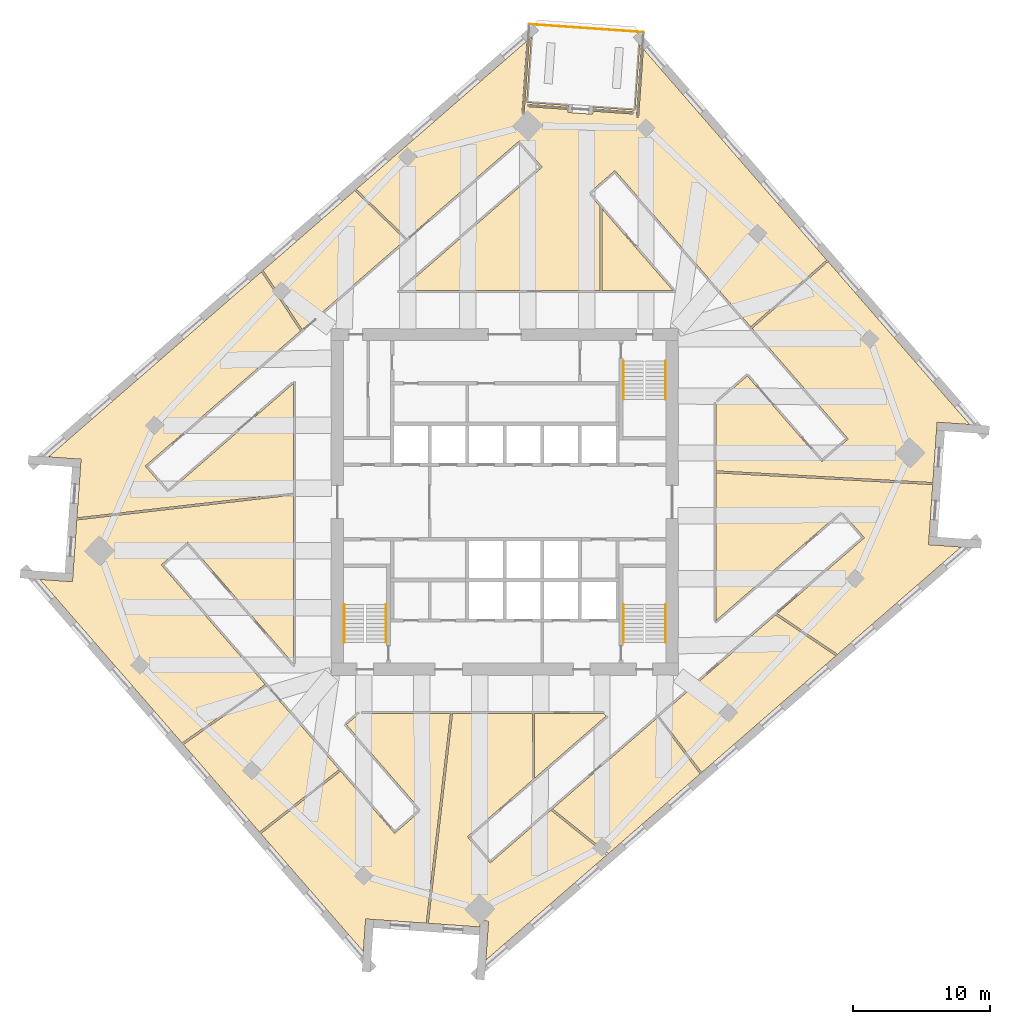
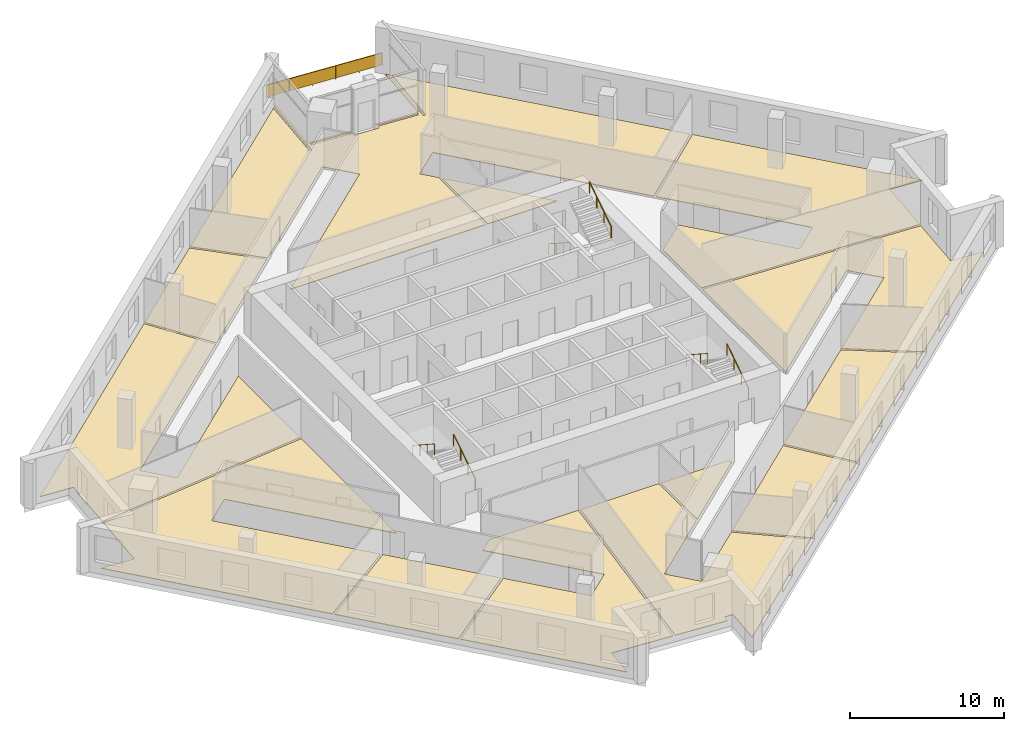
# One storey, part 10 of 11: 13 coverings, 7 railings.
"""IFC4 building model written with IfcOpenShell, lengths in metres."""

import ifcopenshell
import ifcopenshell.guid

model = None  # the IFC model being written
_history = None  # IfcOwnerHistory: only IFC2X3 demands one
_inside = {}  # id of a spatial element -> (the spatial element, [elements in it])
_under = {}  # id of a project, library or spatial element -> (it, [spatial elements below it])
_declared = {}  # id of a project -> (the project, [libraries it declares])
_typed = {}  # id of a type object -> (the type object, [elements of that type])
_made_of = {}  # id of a material, layer set ... -> (it, [elements and type objects made of it])


def new_model(schema):
    """Start an empty IFC model of exactly this schema.

    Asked for "IFC4X3", IfcOpenShell would pick the latest addendum, in which some entities
    have other attributes; the version numbers below select the first issue.
    IFC2X3 requires an IfcOwnerHistory on every rooted entity: one is made here for all.
    """
    global model, _history
    if schema == "IFC4X3":
        model = ifcopenshell.file(schema_version=(4, 3, 0, 0))
    else:
        model = ifcopenshell.file(schema=schema)
    _inside.clear()
    _under.clear()
    _declared.clear()
    _typed.clear()
    _made_of.clear()
    _history = None
    if model.schema == "IFC2X3":
        org = make("IfcOrganization", Name="unknown")
        user = make(
            "IfcPersonAndOrganization",
            ThePerson=make("IfcPerson", FamilyName="unknown"),
            TheOrganization=org,
        )
        app = make(
            "IfcApplication",
            ApplicationDeveloper=org,
            Version="unknown",
            ApplicationFullName="unknown",
            ApplicationIdentifier="unknown",
        )
        _history = make(
            "IfcOwnerHistory",
            OwningUser=user,
            OwningApplication=app,
            ChangeAction="ADDED",
            CreationDate=0,
        )
    return model


def make(cls, **values):
    """One entity of the class cls with the attributes given. An attribute that is None is left unset."""
    return model.create_entity(
        cls, **{name: value for name, value in values.items() if value is not None}
    )


def rooted(cls, **values):
    """An entity with a GlobalId (a new one), such as an element, a storey or a relation."""
    return make(cls, GlobalId=ifcopenshell.guid.new(), OwnerHistory=_history, **values)


def si_unit(unit_type, name, prefix=None):
    """IfcSIUnit, for example si_unit("LENGTHUNIT", "METRE", prefix="MILLI")."""
    return make("IfcSIUnit", UnitType=unit_type, Prefix=prefix, Name=name)


def assignment(units):
    """IfcUnitAssignment: the units of a project."""
    return None if units is None else make("IfcUnitAssignment", Units=units)


def point(xyz):
    """IfcCartesianPoint."""
    return None if xyz is None else make("IfcCartesianPoint", Coordinates=xyz)


def direction(xyz):
    """IfcDirection."""
    return None if xyz is None else make("IfcDirection", DirectionRatios=xyz)


def frame(location, z_axis=None, x_axis=None):
    """IfcAxis2Placement3D, a coordinate frame: its origin and axes. An axis left out is left unset."""
    return make(
        "IfcAxis2Placement3D",
        Location=point(location),
        Axis=direction(z_axis),
        RefDirection=direction(x_axis),
    )


def frame_2d(location, x_axis=None):
    """IfcAxis2Placement2D, a coordinate frame in the plane: its origin and x axis."""
    return make(
        "IfcAxis2Placement2D", Location=point(location), RefDirection=direction(x_axis)
    )


def origin():
    """The frame at (0, 0, 0) with its axes left unset."""
    return frame((0.0, 0.0, 0.0))


def origin_2d():
    """The frame at (0, 0) in the plane with its x axis left unset."""
    return frame_2d((0.0, 0.0))


def place(relative_to, where):
    """IfcLocalPlacement: puts the frame where relative to a parent placement (None: the world)."""
    return make(
        "IfcLocalPlacement", PlacementRelTo=relative_to, RelativePlacement=where
    )


def context(
    kind, dimensions, precision=None, world=None, true_north=None, identifier=None
):
    """IfcGeometricRepresentationContext, for example the 3D "Model" context."""
    return make(
        "IfcGeometricRepresentationContext",
        ContextIdentifier=identifier,
        ContextType=kind,
        CoordinateSpaceDimension=dimensions,
        Precision=precision,
        WorldCoordinateSystem=world,
        TrueNorth=true_north,
    )


def subcontext(parent, identifier, kind, view, scale=None):
    """IfcGeometricRepresentationSubContext, for example "Body" below "Model"."""
    return make(
        "IfcGeometricRepresentationSubContext",
        ContextIdentifier=identifier,
        ContextType=kind,
        ParentContext=parent,
        TargetScale=scale,
        TargetView=view,
    )


def project(units=None, contexts=None):
    """IfcProject with its units and contexts."""
    return rooted(
        "IfcProject",
        Name="project",
        RepresentationContexts=contexts,
        UnitsInContext=assignment(units),
    )


def spatial(cls, under=None, at=None, **own):
    """A site, building, storey or space (cls), placed at a placement, below another one or the project."""
    s = rooted(cls, ObjectPlacement=at, **own)
    if under is not None:
        _under.setdefault(under.id(), (under, []))[1].append(s)
    return s


def polyline(points):
    """IfcPolyline through the points."""
    return make("IfcPolyline", Points=[point(p) for p in points])


def profile(cls, at=None, kind="AREA", **sizes):
    """A parametric profile (cls). Its sizes go by their IFC names, for example OverallWidth=200.0."""
    return make(cls, ProfileType=kind, Position=at, **sizes)


def rectangle(**sizes):
    """IfcRectangleProfileDef."""
    return profile("IfcRectangleProfileDef", **sizes)


def circle(**sizes):
    """IfcCircleProfileDef."""
    return profile("IfcCircleProfileDef", **sizes)


def outline(outer, holes=None, kind="AREA"):
    """IfcArbitraryClosedProfileDef: a profile drawn as a closed curve; with holes, ...WithVoids."""
    if holes is None:
        return make("IfcArbitraryClosedProfileDef", ProfileType=kind, OuterCurve=outer)
    return make(
        "IfcArbitraryProfileDefWithVoids",
        ProfileType=kind,
        OuterCurve=outer,
        InnerCurves=holes,
    )


def extrude(swept, where, along, depth):
    """IfcExtrudedAreaSolid: the profile swept, set in the frame where, extruded along a direction by depth."""
    return make(
        "IfcExtrudedAreaSolid",
        SweptArea=swept,
        Position=where,
        ExtrudedDirection=direction(along),
        Depth=depth,
    )


def shape(context_of_items, identifier, shape_type, items):
    """IfcShapeRepresentation: the items that make up one representation, for example the "Body"."""
    return make(
        "IfcShapeRepresentation",
        ContextOfItems=context_of_items,
        RepresentationIdentifier=identifier,
        RepresentationType=shape_type,
        Items=items,
    )


def material(Name=None, Category=None):
    """IfcMaterial."""
    return make("IfcMaterial", Name=Name, Category=Category)


def layer(
    of_material, thickness, ventilated=None, Name=None, Category=None, Priority=None
):
    """IfcMaterialLayer: one layer of a wall or slab, of a material (None: an air gap)."""
    return make(
        "IfcMaterialLayer",
        Material=of_material,
        LayerThickness=thickness,
        IsVentilated=ventilated,
        Name=Name,
        Category=Category,
        Priority=Priority,
    )


def layer_set(layers, Name=None):
    """IfcMaterialLayerSet."""
    return make("IfcMaterialLayerSet", MaterialLayers=layers, LayerSetName=Name)


def made_of(thing, what):
    """Note that an element or type object is made of a material, layer set ...; save() writes the relation."""
    if what is not None:
        _made_of.setdefault(what.id(), (what, []))[1].append(thing)
    return thing


def type_object(cls, material=None, **own):
    """A type object (cls), such as IfcWallType, which elements share."""
    return made_of(rooted(cls, **own), material)


def element(
    cls,
    number,
    at=None,
    inside=None,
    cuts=None,
    type_object=None,
    material=None,
    context=None,
    identifier="Body",
    shape_type=None,
    held_by="IfcProductDefinitionShape",
    body=None,
    shapes=None,
    **own,
):
    """One element of the class cls, such as IfcWall. Its Tag is "e" and its number.

    at: its placement. inside: the storey or other place that contains it. cuts: it is an
    opening in that element (IfcRelVoidsElement). A single representation is given by context,
    identifier, shape_type and body (its items); several are given by shapes. held_by: the class
    of the entity that holds the representations. save() writes the other relations.
    """
    e = rooted(cls, Tag="e%d" % number, ObjectPlacement=at, **own)
    if body is not None:
        shapes = [shape(context, identifier, shape_type, body)]
    if shapes is not None:
        e.Representation = make(held_by, Representations=shapes)
    if inside is not None:
        _inside.setdefault(inside.id(), (inside, []))[1].append(e)
    if cuts is not None:
        rooted(
            "IfcRelVoidsElement", RelatingBuildingElement=cuts, RelatedOpeningElement=e
        )
    if type_object is not None:
        _typed.setdefault(type_object.id(), (type_object, []))[1].append(e)
    return made_of(e, material)


def aggregate(whole, parts):
    """IfcRelAggregates: a whole, such as a stair, and the parts it consists of."""
    return rooted("IfcRelAggregates", RelatingObject=whole, RelatedObjects=parts)


def save(model, path):
    """Write the relations noted so far, then the file.

    IfcRelAggregates (storeys below a building ...), IfcRelContainedInSpatialStructure (elements
    in a storey), IfcRelDefinesByType, IfcRelAssociatesMaterial and IfcRelDeclares: one each for
    every whole, place, type object, material and project.
    """
    for whole, parts in _under.values():
        aggregate(whole, parts)
    for where, things in _inside.values():
        rooted(
            "IfcRelContainedInSpatialStructure",
            RelatedElements=things,
            RelatingStructure=where,
        )
    for kind, things in _typed.values():
        rooted("IfcRelDefinesByType", RelatedObjects=things, RelatingType=kind)
    for what, things in _made_of.values():
        rooted("IfcRelAssociatesMaterial", RelatedObjects=things, RelatingMaterial=what)
    for by, libraries in _declared.values():
        rooted("IfcRelDeclares", RelatingContext=by, RelatedDefinitions=libraries)
    model.write(path)


model = new_model("IFC4")

# Units and contexts
model_context = context("Model", 3, precision=1e-05, world=origin(), true_north=direction((0.0, 1.0)))
body_context = subcontext(model_context, "Body", "Model", "MODEL_VIEW")
ifc_project = project(units=[si_unit("LENGTHUNIT", "METRE"), si_unit("AREAUNIT", "SQUARE_METRE"), si_unit("VOLUMEUNIT", "CUBIC_METRE"), si_unit("PLANEANGLEUNIT", "RADIAN"), si_unit("MASSUNIT", "GRAM", prefix="KILO")], contexts=[model_context])

# Site, building, storey
site_placement = place(None, origin())
site = spatial("IfcSite", under=ifc_project, at=site_placement, CompositionType="ELEMENT")
building_placement = place(site_placement, origin())
building = spatial("IfcBuilding", under=site, at=building_placement, Name="Dilmun Exchange Tower", CompositionType="ELEMENT")
storey_placement = place(building_placement, frame((0.0, 0.0, 193.300048828125)))
storey = spatial("IfcBuildingStorey", under=building, at=storey_placement, Name="L45", CompositionType="ELEMENT", Elevation=193.300048828125)

# Coverings
ifc_material_1 = material(Name="Carpet floor finish 50")
ifc_layer_1 = layer(ifc_material_1, 0.050048828125)
ifc_layer_set_1 = layer_set([ifc_layer_1], Name="Carpet floor finish 50")
covering_type_1 = type_object("IfcCoveringType", Name="Carpet floor finish 50", PredefinedType="FLOORING", material=ifc_layer_set_1)
covering_1_placement = place(storey_placement, origin())
element("IfcCovering", 1, at=covering_1_placement, inside=storey, type_object=covering_type_1, Name="Carpet floor finish 50 Members lounge", PredefinedType="FLOORING", context=body_context, shape_type="SweptSolid", body=[
    extrude(outline(polyline([(-23.210693359375, -2.935302734375), (-25.13525390625, -4.6083984375), (-17.530029296875, -13.357177734375), (-23.617919921875, -17.640625), (-34.026611328125, -5.666748046875), (-31.639404296875, -5.833740234375), (-31.63916015625, -5.833740234375), (-31.638916015625, -5.833740234375), (-31.638916015625, -5.833740234375), (-31.638671875, -5.833740234375), (-31.638427734375, -5.83349609375), (-31.63818359375, -5.83349609375), (-31.63818359375, -5.83349609375), (-31.637939453125, -5.833251953125), (-31.6376953125, -5.8330078125), (-31.6376953125, -5.8330078125), (-31.637451171875, -5.832763671875), (-31.637451171875, -5.832763671875), (-31.637451171875, -5.83251953125), (-31.63720703125, -5.832275390625), (-31.63720703125, -5.83203125), (-31.63720703125, -5.831787109375), (-31.595458984375, -5.23388671875), (-31.595458984375, -5.23388671875), (-31.595458984375, -5.233642578125), (-31.59521484375, -5.2333984375), (-31.321533203125, -1.318359375), (-15.47509765625, 0.508544921875), (-15.47509765625, -11.834228515625), (-23.210693359375, -2.935302734375)])), origin(), (0.0, 0.0, 1.0), 0.050048828125),
])
covering_2_placement = place(storey_placement, origin())
element("IfcCovering", 2, at=covering_2_placement, inside=storey, type_object=covering_type_1, Name="Carpet floor finish 50 Members library 1", PredefinedType="FLOORING", context=body_context, shape_type="SweptSolid", body=[
    extrude(outline(polyline([(-15.47509765625, 8.66650390625), (-15.47509765625, 0.659423828125), (-31.31103515625, -1.166259765625), (-31.052734375, 2.52587890625), (-31.052734375, 2.52587890625), (-31.010986328125, 3.124267578125), (-31.010986328125, 3.12451171875), (-31.010986328125, 3.124755859375), (-31.010986328125, 3.125), (-31.010986328125, 3.125), (-31.010986328125, 3.125244140625), (-31.01123046875, 3.12548828125), (-31.01123046875, 3.12548828125), (-31.011474609375, 3.125732421875), (-31.01171875, 3.1259765625), (-31.01171875, 3.126220703125), (-31.011962890625, 3.126220703125), (-31.01220703125, 3.126220703125), (-31.01220703125, 3.126220703125), (-31.012451171875, 3.12646484375), (-31.0126953125, 3.12646484375), (-31.0126953125, 3.12646484375), (-33.39990234375, 3.29345703125), (-17.8037109375, 16.851318359375), (-14.939453125, 12.5107421875), (-26.313232421875, 2.62353515625), (-24.640380859375, 0.69921875), (-15.47509765625, 8.66650390625)])), origin(), (0.0, 0.0, 1.0), 0.050048828125),
])
covering_3_placement = place(storey_placement, origin())
element("IfcCovering", 3, at=covering_3_placement, inside=storey, type_object=covering_type_1, Name="Carpet floor finish 50 Serviced office 1", PredefinedType="FLOORING", context=body_context, shape_type="SweptSolid", body=[
    extrude(outline(polyline([(-17.9521484375, -24.158203125), (-23.51904296875, -17.75439453125), (-17.430908203125, -13.470947265625), (-12.117919921875, -19.5830078125), (-17.9521484375, -24.158203125)])), origin(), (0.0, 0.0, 1.0), 0.050048828125),
])
covering_4_placement = place(storey_placement, origin())
element("IfcCovering", 4, at=covering_4_placement, inside=storey, type_object=covering_type_1, Name="Carpet floor finish 50 Serviced office 2", PredefinedType="FLOORING", context=body_context, shape_type="SweptSolid", body=[
    extrude(outline(polyline([(-14.8251953125, 12.610107421875), (-17.689453125, 16.950439453125), (-10.982421875, 22.78076171875), (-7.26611328125, 19.180908203125), (-14.8251953125, 12.610107421875)])), origin(), (0.0, 0.0, 1.0), 0.050048828125),
])
covering_5_placement = place(storey_placement, origin())
element("IfcCovering", 5, at=covering_5_placement, inside=storey, type_object=covering_type_1, Name="Carpet floor finish 50 Serviced office 3", PredefinedType="FLOORING", context=body_context, shape_type="SweptSolid", body=[
    extrude(outline(polyline([(-12.01953125, -19.6962890625), (-8.0615234375, -24.249267578125), (-6.13720703125, -22.576416015625), (-11.599609375, -16.29248046875), (-10.658935546875, -15.47509765625), (-3.972412109375, -15.47509765625), (-5.748291015625, -30.827392578125), (-9.57958984375, -30.5595703125), (-9.57958984375, -30.5595703125), (-9.57958984375, -30.5595703125), (-10.17822265625, -30.517578125), (-10.178466796875, -30.517578125), (-10.1787109375, -30.517578125), (-10.1787109375, -30.517578125), (-10.178955078125, -30.517822265625), (-10.17919921875, -30.517822265625), (-10.179443359375, -30.517822265625), (-10.179443359375, -30.51806640625), (-10.1796875, -30.518310546875), (-10.1796875, -30.518310546875), (-10.179931640625, -30.518310546875), (-10.18017578125, -30.5185546875), (-10.18017578125, -30.518798828125), (-10.18017578125, -30.51904296875), (-10.180419921875, -30.51904296875), (-10.180419921875, -30.519287109375), (-10.180419921875, -30.51953125), (-10.347412109375, -32.90673828125), (-17.853759765625, -24.271728515625), (-12.01953125, -19.6962890625)])), origin(), (0.0, 0.0, 1.0), 0.050048828125),
])
covering_6_placement = place(storey_placement, origin())
element("IfcCovering", 6, at=covering_6_placement, inside=storey, type_object=covering_type_1, Name="Carpet floor finish 50 Serviced office 4", PredefinedType="FLOORING", context=body_context, shape_type="SweptSolid", body=[
    extrude(outline(polyline([(-3.8212890625, -15.47509765625), (2.04248046875, -15.47509765625), (2.04248046875, -20.343017578125), (-2.737060546875, -24.497802734375), (-1.064208984375, -26.42236328125), (3.377197265625, -22.561767578125), (7.464111328125, -25.83935546875), (-1.386962890625, -33.533447265625), (-1.188232421875, -30.6904296875), (-1.188232421875, -30.690185546875), (-1.188232421875, -30.68994140625), (-1.188232421875, -30.689697265625), (-1.188232421875, -30.689697265625), (-1.1884765625, -30.689453125), (-1.1884765625, -30.689208984375), (-1.188720703125, -30.689208984375), (-1.188720703125, -30.68896484375), (-1.18896484375, -30.688720703125), (-1.18896484375, -30.688720703125), (-1.189208984375, -30.6884765625), (-1.189208984375, -30.6884765625), (-1.189453125, -30.6884765625), (-1.189697265625, -30.688232421875), (-1.18994140625, -30.688232421875), (-1.190185546875, -30.688232421875), (-1.78857421875, -30.646484375), (-1.788818359375, -30.646484375), (-1.7890625, -30.646484375), (-1.789306640625, -30.646484375), (-1.789306640625, -30.646484375), (-1.78955078125, -30.646484375), (-1.789794921875, -30.646484375), (-1.789794921875, -30.646728515625), (-1.7900390625, -30.64697265625), (-1.790283203125, -30.64697265625), (-1.790283203125, -30.647216796875), (-1.79052734375, -30.647216796875), (-1.79052734375, -30.6474609375), (-1.79052734375, -30.647705078125), (-1.790771484375, -30.64794921875), (-1.790771484375, -30.64794921875), (-1.790771484375, -30.648193359375), (-1.822509765625, -31.10205078125), (-5.598388671875, -30.837890625), (-3.8212890625, -15.47509765625)])), origin(), (0.0, 0.0, 1.0), 0.050048828125),
])
covering_7_placement = place(storey_placement, origin())
element("IfcCovering", 7, at=covering_7_placement, inside=storey, type_object=covering_type_1, Name="Carpet floor finish 50 Garden lounge", PredefinedType="FLOORING", context=body_context, shape_type="SweptSolid", body=[
    extrude(outline(polyline([(1.064208984375, 26.42236328125), (-7.152587890625, 19.27978515625), (-10.868896484375, 22.879638671875), (1.621826171875, 33.737548828125), (1.248291015625, 28.394775390625), (1.248291015625, 28.39453125), (1.248291015625, 28.394287109375), (1.248291015625, 28.394287109375), (1.248291015625, 28.39404296875), (1.248291015625, 28.393798828125), (1.24853515625, 28.393798828125), (1.24853515625, 28.3935546875), (1.248779296875, 28.393310546875), (1.248779296875, 28.393310546875), (1.2490234375, 28.39306640625), (1.2490234375, 28.39306640625), (1.249267578125, 28.392822265625), (1.24951171875, 28.392822265625), (1.249755859375, 28.392822265625), (1.25, 28.392578125), (1.25, 28.392578125), (1.40966796875, 28.381591796875), (1.409912109375, 28.381591796875), (1.41015625, 28.381591796875), (1.410400390625, 28.381591796875), (1.410400390625, 28.381591796875), (1.41064453125, 28.381591796875), (1.410888671875, 28.3818359375), (1.410888671875, 28.3818359375), (1.4111328125, 28.382080078125), (1.411376953125, 28.382080078125), (1.411376953125, 28.38232421875), (1.41162109375, 28.382568359375), (1.41162109375, 28.382568359375), (1.41162109375, 28.3828125), (1.41162109375, 28.383056640625), (1.411865234375, 28.38330078125), (1.411865234375, 28.38330078125), (1.796875, 33.8896484375), (1.949462890625, 34.0224609375), (1.614990234375, 29.239013671875), (4.669677734375, 29.025390625), (4.65966796875, 28.882568359375), (1.6796875, 29.091064453125), (1.6796875, 29.091064453125), (1.679443359375, 29.091064453125), (1.67919921875, 29.091064453125), (1.678955078125, 29.0908203125), (1.678955078125, 29.0908203125), (1.6787109375, 29.0908203125), (1.678466796875, 29.090576171875), (1.678466796875, 29.090576171875), (1.67822265625, 29.09033203125), (1.677978515625, 29.090087890625), (1.677978515625, 29.090087890625), (1.677978515625, 29.08984375), (1.677734375, 29.089599609375), (1.677734375, 29.089599609375), (1.677734375, 29.08935546875), (1.677734375, 29.089111328125), (1.66650390625, 28.929443359375), (1.66650390625, 28.92919921875), (1.66650390625, 28.92919921875), (1.66650390625, 28.928955078125), (1.66650390625, 28.9287109375), (1.666748046875, 28.9287109375), (1.666748046875, 28.928466796875), (1.6669921875, 28.92822265625), (1.6669921875, 28.927978515625), (1.6669921875, 28.927978515625), (1.667236328125, 28.927734375), (1.66748046875, 28.927734375), (1.66748046875, 28.927490234375), (1.667724609375, 28.927490234375), (1.66796875, 28.927490234375), (1.668212890625, 28.927490234375), (1.66845703125, 28.927490234375), (4.648193359375, 28.718994140625), (4.633056640625, 28.501708984375), (4.633056640625, 28.50146484375), (4.633056640625, 28.501220703125), (4.633056640625, 28.5009765625), (4.633056640625, 28.500732421875), (4.63330078125, 28.50048828125), (4.63330078125, 28.50048828125), (4.63330078125, 28.500244140625), (4.633544921875, 28.5), (4.633544921875, 28.5), (4.6337890625, 28.499755859375), (4.6337890625, 28.499755859375), (4.634033203125, 28.49951171875), (4.63427734375, 28.49951171875), (4.634521484375, 28.49951171875), (4.634521484375, 28.49951171875), (4.634765625, 28.49951171875), (6.430419921875, 28.373779296875), (6.4306640625, 28.373779296875), (6.430908203125, 28.373779296875), (6.430908203125, 28.3740234375), (6.43115234375, 28.3740234375), (6.431396484375, 28.3740234375), (6.431640625, 28.374267578125), (6.431640625, 28.374267578125), (6.431884765625, 28.37451171875), (6.431884765625, 28.37451171875), (6.43212890625, 28.374755859375), (6.432373046875, 28.375), (6.432373046875, 28.375), (6.4326171875, 28.375244140625), (6.4326171875, 28.37548828125), (6.4326171875, 28.37548828125), (6.4326171875, 28.375732421875), (6.44775390625, 28.59326171875), (9.427490234375, 28.384765625), (9.427734375, 28.384765625), (9.427978515625, 28.384765625), (9.42822265625, 28.384765625), (9.428466796875, 28.385009765625), (9.428466796875, 28.385009765625), (9.4287109375, 28.385009765625), (9.428955078125, 28.38525390625), (9.428955078125, 28.38525390625), (9.42919921875, 28.385498046875), (9.42919921875, 28.385498046875), (9.429443359375, 28.3857421875), (9.429443359375, 28.385986328125), (9.4296875, 28.385986328125), (9.4296875, 28.38623046875), (9.4296875, 28.386474609375), (9.4296875, 28.38671875), (9.44091796875, 28.54638671875), (9.44091796875, 28.54638671875), (9.44091796875, 28.546630859375), (9.44091796875, 28.546875), (9.44091796875, 28.547119140625), (9.440673828125, 28.547119140625), (9.440673828125, 28.54736328125), (9.4404296875, 28.547607421875), (9.4404296875, 28.547607421875), (9.440185546875, 28.5478515625), (9.440185546875, 28.548095703125), (9.43994140625, 28.548095703125), (9.439697265625, 28.548095703125), (9.439697265625, 28.54833984375), (9.439453125, 28.54833984375), (9.439208984375, 28.54833984375), (9.43896484375, 28.54833984375), (6.459228515625, 28.7568359375), (6.46923828125, 28.8994140625), (9.523681640625, 28.685791015625), (9.8583984375, 33.46923828125), (9.990966796875, 33.316650390625), (9.6298828125, 28.152099609375), (9.6298828125, 28.152099609375), (9.6298828125, 28.15185546875), (9.6298828125, 28.151611328125), (9.6298828125, 28.1513671875), (9.630126953125, 28.1513671875), (9.630126953125, 28.151123046875), (9.63037109375, 28.15087890625), (9.63037109375, 28.15087890625), (9.630615234375, 28.150634765625), (9.630615234375, 28.150390625), (9.630859375, 28.150390625), (9.631103515625, 28.150390625), (9.631103515625, 28.150146484375), (9.63134765625, 28.150146484375), (9.631591796875, 28.150146484375), (9.6318359375, 28.150146484375), (9.79150390625, 28.138916015625), (9.79150390625, 28.138916015625), (9.791748046875, 28.138916015625), (9.7919921875, 28.138916015625), (9.7919921875, 28.138916015625), (9.792236328125, 28.13916015625), (9.79248046875, 28.13916015625), (9.792724609375, 28.139404296875), (9.792724609375, 28.139404296875), (9.79296875, 28.139404296875), (9.793212890625, 28.1396484375), (9.793212890625, 28.139892578125), (9.793212890625, 28.139892578125), (9.79345703125, 28.14013671875), (9.79345703125, 28.140380859375), (9.79345703125, 28.140625), (9.79345703125, 28.140869140625), (10.143310546875, 33.1416015625), (23.561279296875, 17.705810546875), (18.0, 12.81640625), (8.0615234375, 24.249267578125), (6.13720703125, 22.576416015625), (6.97998046875, 21.606689453125), (6.97998046875, 15.47509765625), (-7.642578125, 15.47509765625), (2.737060546875, 24.497802734375), (1.064208984375, 26.42236328125)])), origin(), (0.0, 0.0, 1.0), 0.050048828125),
])
covering_8_placement = place(storey_placement, origin())
element("IfcCovering", 8, at=covering_8_placement, inside=storey, type_object=covering_type_1, Name="Carpet floor finish 50 Serviced office 5", PredefinedType="FLOORING", context=body_context, shape_type="SweptSolid", body=[
    extrude(outline(polyline([(11.18408203125, -15.775146484375), (14.29931640625, -19.8974609375), (7.5791015625, -25.739501953125), (3.4921875, -22.461669921875), (11.18408203125, -15.775146484375)])), origin(), (0.0, 0.0, 1.0), 0.050048828125),
])
covering_9_placement = place(storey_placement, origin())
element("IfcCovering", 9, at=covering_9_placement, inside=storey, type_object=covering_type_1, Name="Carpet floor finish 50 Serviced office 6", PredefinedType="FLOORING", context=body_context, shape_type="SweptSolid", body=[
    extrude(outline(polyline([(11.297607421875, -15.676513671875), (19.8125, -8.27490234375), (24.234130859375, -11.26123046875), (14.41259765625, -19.798828125), (11.297607421875, -15.676513671875)])), origin(), (0.0, 0.0, 1.0), 0.050048828125),
])
covering_10_placement = place(storey_placement, origin())
element("IfcCovering", 10, at=covering_10_placement, inside=storey, type_object=covering_type_1, Name="Carpet floor finish 50 Serviced office 7", PredefinedType="FLOORING", context=body_context, shape_type="SweptSolid", body=[
    extrude(outline(polyline([(19.929443359375, -8.1728515625), (26.313232421875, -2.62353515625), (24.640380859375, -0.69921875), (15.47509765625, -8.66650390625), (15.47509765625, 2.127685546875), (31.318115234375, 1.269287109375), (31.052734375, -2.52587890625), (31.052734375, -2.52587890625), (31.010986328125, -3.124267578125), (31.010986328125, -3.12451171875), (31.010986328125, -3.124755859375), (31.010986328125, -3.125), (31.010986328125, -3.125), (31.010986328125, -3.125244140625), (31.01123046875, -3.12548828125), (31.01123046875, -3.12548828125), (31.011474609375, -3.125732421875), (31.01171875, -3.1259765625), (31.01171875, -3.126220703125), (31.011962890625, -3.126220703125), (31.01220703125, -3.126220703125), (31.01220703125, -3.126220703125), (31.012451171875, -3.12646484375), (31.0126953125, -3.12646484375), (31.0126953125, -3.12646484375), (33.39990234375, -3.29345703125), (24.351318359375, -11.159423828125), (19.929443359375, -8.1728515625)])), origin(), (0.0, 0.0, 1.0), 0.050048828125),
])
covering_11_placement = place(storey_placement, origin())
element("IfcCovering", 11, at=covering_11_placement, inside=storey, type_object=covering_type_1, Name="Carpet floor finish 50 Members library 2", PredefinedType="FLOORING", context=body_context, shape_type="SweptSolid", body=[
    extrude(outline(polyline([(17.748291015625, 9.218994140625), (23.210693359375, 2.935302734375), (25.13525390625, 4.6083984375), (18.0986328125, 12.703125), (23.659912109375, 17.592529296875), (34.026611328125, 5.666748046875), (31.639404296875, 5.833740234375), (31.63916015625, 5.833740234375), (31.638916015625, 5.833740234375), (31.638916015625, 5.833740234375), (31.638671875, 5.833740234375), (31.638427734375, 5.83349609375), (31.63818359375, 5.83349609375), (31.63818359375, 5.83349609375), (31.637939453125, 5.833251953125), (31.6376953125, 5.8330078125), (31.6376953125, 5.8330078125), (31.637451171875, 5.832763671875), (31.637451171875, 5.832763671875), (31.637451171875, 5.83251953125), (31.63720703125, 5.832275390625), (31.63720703125, 5.83203125), (31.63720703125, 5.831787109375), (31.595458984375, 5.23388671875), (31.595458984375, 5.23388671875), (31.595458984375, 5.233642578125), (31.59521484375, 5.2333984375), (31.32861328125, 1.4189453125), (15.47509765625, 2.278076171875), (15.47509765625, 7.242919921875), (17.748291015625, 9.218994140625)])), origin(), (0.0, 0.0, 1.0), 0.050048828125),
])

# Railings
ifc_material_2 = material(Name="Stainless steel", Category="steel")
railing_type_1 = type_object("IfcRailingType", Name="Stair handrail 900", PredefinedType="HANDRAIL", material=ifc_material_2)
railing_1_placement = place(storey_placement, frame((8.699951171875, 10.300048828125, 0.181884765625)))
element("IfcRailing", 12, at=railing_1_placement, inside=storey, type_object=railing_type_1, Name="L45 ST1 stair handrail 1", PredefinedType="HANDRAIL", context=body_context, shape_type="SweptSolid", body=[
    extrude(circle(Radius=0.02392578125, at=origin_2d()), frame((0.0, 0.0, 0.8759765625), z_axis=(0.0, -0.838705829183, 0.544584733623), x_axis=(1.0, 0.0, 0.0)), (0.0, 0.0, 1.0), 3.338623046875),
    extrude(circle(Radius=0.02099609375, at=origin_2d()), origin(), (0.0, 0.0, 1.0), 0.851806640625),
    extrude(circle(Radius=0.02099609375, at=origin_2d()), frame((0.0, -0.933349609375, 0.60595703125)), (0.0, 0.0, 1.0), 0.851806640625),
    extrude(circle(Radius=0.02099609375, at=origin_2d()), frame((0.0, -1.86669921875, 1.212158203125)), (0.0, 0.0, 1.0), 0.851806640625),
    extrude(circle(Radius=0.02099609375, at=origin_2d()), frame((0.0, -2.800048828125, 1.818115234375)), (0.0, 0.0, 1.0), 0.851806640625),
])
for number, where, name in (
    (13, (11.75, 7.5, 2.181884765625), "L45 ST1 stair handrail 2"),
    (14, (-8.699951171875, -10.300048828125, 0.181884765625), "L45 ST2 stair handrail 1"),
):
    element("IfcRailing", number, at=place(storey_placement, frame(where)), inside=storey, type_object=railing_type_1, Name=name, PredefinedType="HANDRAIL", context=body_context, shape_type="SweptSolid", body=[
        extrude(circle(Radius=0.02392578125, at=origin_2d()), frame((0.0, 0.0, 0.8759765625), z_axis=(0.0, 0.838705829183, 0.544584733623), x_axis=(-1.0, 0.0, 0.0)), (0.0, 0.0, 1.0), 3.338623046875),
        extrude(circle(Radius=0.02099609375, at=origin_2d()), origin(), (0.0, 0.0, 1.0), 0.851806640625),
        extrude(circle(Radius=0.02099609375, at=origin_2d()), frame((0.0, 0.933349609375, 0.60595703125)), (0.0, 0.0, 1.0), 0.851806640625),
        extrude(circle(Radius=0.02099609375, at=origin_2d()), frame((0.0, 1.86669921875, 1.212158203125)), (0.0, 0.0, 1.0), 0.851806640625),
        extrude(circle(Radius=0.02099609375, at=origin_2d()), frame((0.0, 2.800048828125, 1.818115234375)), (0.0, 0.0, 1.0), 0.851806640625),
    ])
railing_2_placement = place(storey_placement, frame((-11.75, -7.5, 2.181884765625)))
element("IfcRailing", 15, at=railing_2_placement, inside=storey, type_object=railing_type_1, Name="L45 ST2 stair handrail 2", PredefinedType="HANDRAIL", context=body_context, shape_type="SweptSolid", body=[
    extrude(circle(Radius=0.02392578125, at=origin_2d()), frame((0.0, 0.0, 0.8759765625), z_axis=(0.0, -0.838705829183, 0.544584733623), x_axis=(1.0, 0.0, 0.0)), (0.0, 0.0, 1.0), 3.338623046875),
    extrude(circle(Radius=0.02099609375, at=origin_2d()), origin(), (0.0, 0.0, 1.0), 0.851806640625),
    extrude(circle(Radius=0.02099609375, at=origin_2d()), frame((0.0, -0.933349609375, 0.60595703125)), (0.0, 0.0, 1.0), 0.851806640625),
    extrude(circle(Radius=0.02099609375, at=origin_2d()), frame((0.0, -1.86669921875, 1.212158203125)), (0.0, 0.0, 1.0), 0.851806640625),
    extrude(circle(Radius=0.02099609375, at=origin_2d()), frame((0.0, -2.800048828125, 1.818115234375)), (0.0, 0.0, 1.0), 0.851806640625),
])
railing_3_placement = place(storey_placement, frame((11.75, -10.300048828125, 0.181884765625)))
element("IfcRailing", 16, at=railing_3_placement, inside=storey, type_object=railing_type_1, Name="L45 ST3 stair handrail 1", PredefinedType="HANDRAIL", context=body_context, shape_type="SweptSolid", body=[
    extrude(circle(Radius=0.02392578125, at=origin_2d()), frame((0.0, 0.0, 0.8759765625), z_axis=(0.0, 0.838705829183, 0.544584733623), x_axis=(-1.0, 0.0, 0.0)), (0.0, 0.0, 1.0), 3.338623046875),
    extrude(circle(Radius=0.02099609375, at=origin_2d()), origin(), (0.0, 0.0, 1.0), 0.851806640625),
    extrude(circle(Radius=0.02099609375, at=origin_2d()), frame((0.0, 0.933349609375, 0.60595703125)), (0.0, 0.0, 1.0), 0.851806640625),
    extrude(circle(Radius=0.02099609375, at=origin_2d()), frame((0.0, 1.86669921875, 1.212158203125)), (0.0, 0.0, 1.0), 0.851806640625),
    extrude(circle(Radius=0.02099609375, at=origin_2d()), frame((0.0, 2.800048828125, 1.818115234375)), (0.0, 0.0, 1.0), 0.851806640625),
])
railing_4_placement = place(storey_placement, frame((8.699951171875, -7.5, 2.181884765625)))
element("IfcRailing", 17, at=railing_4_placement, inside=storey, type_object=railing_type_1, Name="L45 ST3 stair handrail 2", PredefinedType="HANDRAIL", context=body_context, shape_type="SweptSolid", body=[
    extrude(circle(Radius=0.02392578125, at=origin_2d()), frame((0.0, 0.0, 0.8759765625), z_axis=(0.0, -0.838705829183, 0.544584733623), x_axis=(1.0, 0.0, 0.0)), (0.0, 0.0, 1.0), 3.338623046875),
    extrude(circle(Radius=0.02099609375, at=origin_2d()), origin(), (0.0, 0.0, 1.0), 0.851806640625),
    extrude(circle(Radius=0.02099609375, at=origin_2d()), frame((0.0, -0.933349609375, 0.60595703125)), (0.0, 0.0, 1.0), 0.851806640625),
    extrude(circle(Radius=0.02099609375, at=origin_2d()), frame((0.0, -1.86669921875, 1.212158203125)), (0.0, 0.0, 1.0), 0.851806640625),
    extrude(circle(Radius=0.02099609375, at=origin_2d()), frame((0.0, -2.800048828125, 1.818115234375)), (0.0, 0.0, 1.0), 0.851806640625),
])
railing_type_2 = type_object("IfcRailingType", Name="Terrace guard 1100 stainless steel", PredefinedType="GUARDRAIL", material=ifc_material_2)
railing_5_placement = place(storey_placement, frame((1.78955078125, 34.962158203125, 0.0)))
element("IfcRailing", 18, at=railing_5_placement, inside=storey, type_object=railing_type_2, Name="Terrace guard 1", PredefinedType="GUARDRAIL", context=body_context, shape_type="SweptSolid", body=[
    extrude(circle(Radius=0.02392578125, at=origin_2d()), frame((0.0, 0.0, 1.076171875), z_axis=(0.997563795734, -0.069760113542, 0.0), x_axis=(0.069760113542, 0.997563795734, 0.0)), (0.0, 0.0, 1.0), 8.37841796875),
    extrude(rectangle(XDim=0.011962890625, YDim=0.951904296875, at=origin_2d()), frame((0.0, 0.0, 0.576171875), z_axis=(0.997563795734, -0.069760113542, 0.0), x_axis=(0.069760113542, 0.997563795734, 0.0)), (0.0, 0.0, 1.0), 8.37841796875),
    extrude(circle(Radius=0.02099609375, at=origin_2d()), origin(), (0.0, 0.0, 1.0), 1.052001953125),
    extrude(circle(Radius=0.02099609375, at=origin_2d()), frame((1.671630859375, -0.116943359375, 0.0)), (0.0, 0.0, 1.0), 1.052001953125),
    extrude(circle(Radius=0.02099609375, at=origin_2d()), frame((3.34326171875, -0.23388671875, 0.0)), (0.0, 0.0, 1.0), 1.052001953125),
    extrude(circle(Radius=0.02099609375, at=origin_2d()), frame((5.0146484375, -0.3505859375, 0.0)), (0.0, 0.0, 1.0), 1.052001953125),
    extrude(circle(Radius=0.02099609375, at=origin_2d()), frame((6.686279296875, -0.467529296875, 0.0)), (0.0, 0.0, 1.0), 1.052001953125),
    extrude(circle(Radius=0.02099609375, at=origin_2d()), frame((8.35791015625, -0.58447265625, 0.0)), (0.0, 0.0, 1.0), 1.052001953125),
])

# Coverings
ifc_material_3 = material(Name="Tile floor finish 50")
ifc_layer_2 = layer(ifc_material_3, 0.050048828125)
ifc_layer_set_2 = layer_set([ifc_layer_2], Name="Tile floor finish 50")
covering_type_2 = type_object("IfcCoveringType", Name="Tile floor finish 50", PredefinedType="FLOORING", material=ifc_layer_set_2)
covering_12_placement = place(storey_placement, origin())
element("IfcCovering", 19, at=covering_12_placement, inside=storey, type_object=covering_type_2, Name="Tile floor finish 50 Pantry 1", PredefinedType="FLOORING", context=body_context, shape_type="SweptSolid", body=[
    extrude(outline(polyline([(2.1923828125, -15.47509765625), (7.242919921875, -15.47509765625), (7.414794921875, -15.6728515625), (2.1923828125, -20.212646484375), (2.1923828125, -15.47509765625)])), origin(), (0.0, 0.0, 1.0), 0.050048828125),
])
covering_13_placement = place(storey_placement, origin())
element("IfcCovering", 20, at=covering_13_placement, inside=storey, type_object=covering_type_2, Name="Tile floor finish 50 Pantry 2", PredefinedType="FLOORING", context=body_context, shape_type="SweptSolid", body=[
    extrude(outline(polyline([(7.1298828125, 21.434326171875), (12.310302734375, 15.47509765625), (7.1298828125, 15.47509765625), (7.1298828125, 21.434326171875)])), origin(), (0.0, 0.0, 1.0), 0.050048828125),
])

save(model, "model.ifc")
